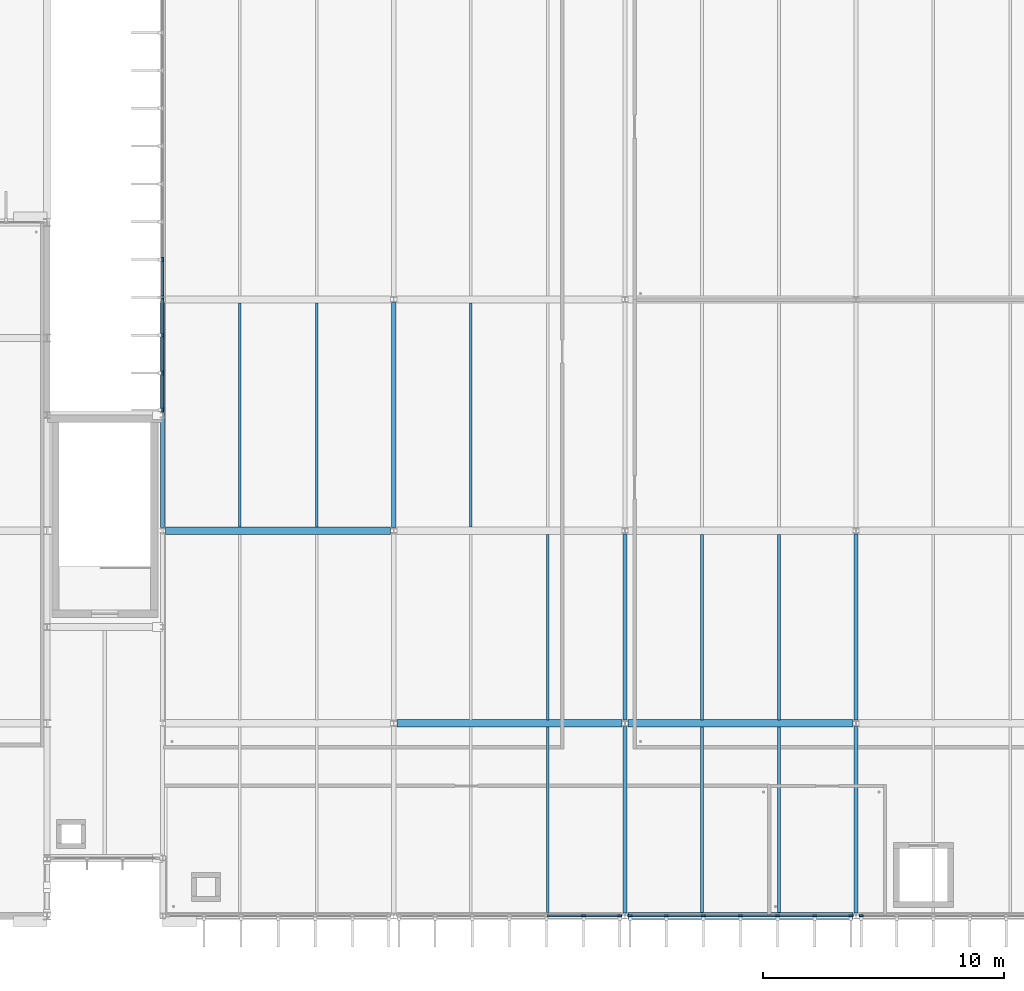
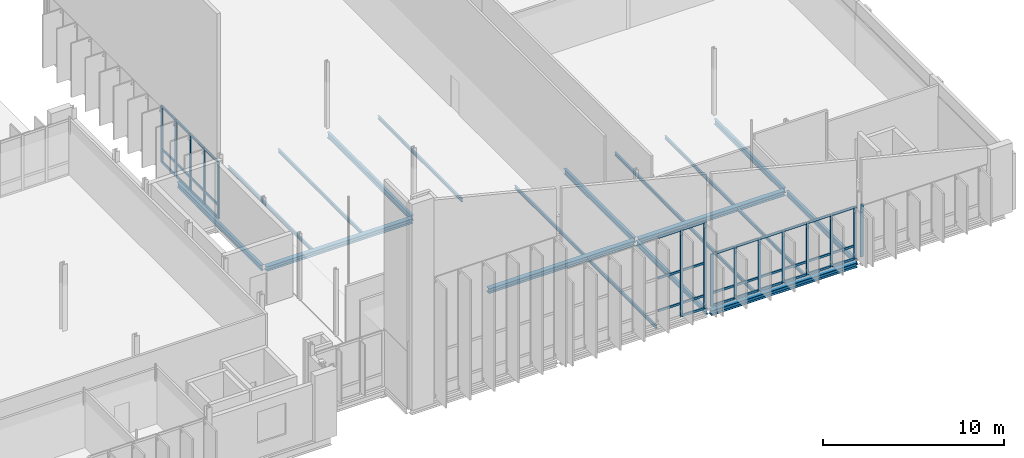
# One storey, part 44 of 110: 52 members, 19 beams, 4 elements without a shape of their own.
"""IFC4 building model written with IfcOpenShell, lengths in metres."""

from ifc_helpers import new_model, si_unit, direction, frame, origin, origin_2d, place, context, subcontext, project, spatial, rectangle, i_section, extrude, material, material_profile, profile_set, type_object, element, aggregate, save


model = new_model("IFC4")

# Units and contexts
model_context = context("Model", 3, precision=1e-05, world=origin(), true_north=direction((0.0, 1.0)))
body_context = subcontext(model_context, "Body", "Model", "MODEL_VIEW")
ifc_project = project(units=[si_unit("LENGTHUNIT", "METRE"), si_unit("AREAUNIT", "SQUARE_METRE"), si_unit("VOLUMEUNIT", "CUBIC_METRE"), si_unit("PLANEANGLEUNIT", "RADIAN"), si_unit("MASSUNIT", "GRAM", prefix="KILO")], contexts=[model_context])

# Site, building, storey
site_placement = place(None, origin())
site = spatial("IfcSite", under=ifc_project, at=site_placement, CompositionType="ELEMENT")
building_placement = place(site_placement, origin())
building = spatial("IfcBuilding", under=site, at=building_placement, Name="Dunescarp Central Library", CompositionType="ELEMENT")
storey_placement = place(building_placement, frame((0.0, 0.0, 9.60009765625)))
storey = spatial("IfcBuildingStorey", under=building, at=storey_placement, Name="L02", CompositionType="ELEMENT", Elevation=9.60009765625)

# Curtain wall, members
ifc_material_1 = material(Name="Marine-grade anodised aluminium 6063-T6", Category="aluminium")
curtain_wall_type = type_object("IfcCurtainWallType", Name="ARC-CW-STICK", PredefinedType="NOTDEFINED", material=ifc_material_1)
curtain_wall_1_placement = place(storey_placement, origin())
curtain_wall_1 = element("IfcCurtainWall", 1, at=curtain_wall_1_placement, inside=storey, type_object=curtain_wall_type, Name="L02 curtain wall CW-V5-163", PredefinedType="NOTDEFINED")
ifc_material_profile_1 = material_profile(ifc_material_1, rectangle(XDim=0.080078125, YDim=0.179931640625, at=origin_2d()), Name="AL 80x180")
ifc_profile_set_1 = profile_set([ifc_material_profile_1], Name="Marine-grade anodised aluminium 6063-T6")
member_type_1 = type_object("IfcMemberType", Name="ARC-CWM-180", PredefinedType="MULLION", material=ifc_profile_set_1)
member_1_placement = place(storey_placement, frame((148.5849609375, 4.800048828125, 0.0), z_axis=(0.0, 0.0, 1.0), x_axis=(0.0, -1.0, 0.0)))
member_1 = element("IfcMember", 2, at=member_1_placement, type_object=member_type_1, Name="CW-V5-163 mullion 1", PredefinedType="MULLION", context=body_context, shape_type="SweptSolid", body=[
    extrude(rectangle(XDim=0.080078125, YDim=0.179931640625, at=origin_2d()), origin(), (0.0, 0.0, 1.0), 5.89990234375),
])
member_2_placement = place(storey_placement, frame((147.083251953125, 4.800048828125, 0.0), z_axis=(0.0, 0.0, 1.0), x_axis=(0.0, -1.0, 0.0)))
member_2 = element("IfcMember", 3, at=member_2_placement, type_object=member_type_1, Name="CW-V5-163 mullion 2", PredefinedType="MULLION", context=body_context, shape_type="SweptSolid", body=[
    extrude(rectangle(XDim=0.080078125, YDim=0.179931640625, at=origin_2d()), origin(), (0.0, 0.0, 1.0), 5.89990234375),
])

curtain_wall_2_placement = place(storey_placement, origin())
curtain_wall_2 = element("IfcCurtainWall", 4, at=curtain_wall_2_placement, inside=storey, type_object=curtain_wall_type, Name="L02 curtain wall CW-V5-164", PredefinedType="NOTDEFINED")
member_3_placement = place(storey_placement, frame((158.18505859375, 4.800048828125, 0.0), z_axis=(0.0, 0.0, 1.0), x_axis=(0.0, -1.0, 0.0)))
member_3 = element("IfcMember", 5, at=member_3_placement, type_object=member_type_1, Name="CW-V5-164 mullion 1", PredefinedType="MULLION", context=body_context, shape_type="SweptSolid", body=[
    extrude(rectangle(XDim=0.080078125, YDim=0.179931640625, at=origin_2d()), origin(), (0.0, 0.0, 1.0), 3.5498046875),
])
member_4_placement = place(storey_placement, frame((156.683349609375, 4.800048828125, 0.0), z_axis=(0.0, 0.0, 1.0), x_axis=(0.0, -1.0, 0.0)))
member_4 = element("IfcMember", 6, at=member_4_placement, type_object=member_type_1, Name="CW-V5-164 mullion 2", PredefinedType="MULLION", context=body_context, shape_type="SweptSolid", body=[
    extrude(rectangle(XDim=0.080078125, YDim=0.179931640625, at=origin_2d()), origin(), (0.0, 0.0, 1.0), 3.5498046875),
])
member_5_placement = place(storey_placement, frame((155.1416015625, 4.800048828125, 0.0), z_axis=(0.0, 0.0, 1.0), x_axis=(0.0, -1.0, 0.0)))
member_5 = element("IfcMember", 7, at=member_5_placement, type_object=member_type_1, Name="CW-V5-164 mullion 3", PredefinedType="MULLION", context=body_context, shape_type="SweptSolid", body=[
    extrude(rectangle(XDim=0.080078125, YDim=0.179931640625, at=origin_2d()), origin(), (0.0, 0.0, 1.0), 3.5498046875),
])
member_6_placement = place(storey_placement, frame((153.60009765625, 4.800048828125, 0.0), z_axis=(0.0, 0.0, 1.0), x_axis=(0.0, -1.0, 0.0)))
member_6 = element("IfcMember", 8, at=member_6_placement, type_object=member_type_1, Name="CW-V5-164 mullion 4", PredefinedType="MULLION", context=body_context, shape_type="SweptSolid", body=[
    extrude(rectangle(XDim=0.080078125, YDim=0.179931640625, at=origin_2d()), origin(), (0.0, 0.0, 1.0), 3.5498046875),
])
member_7_placement = place(storey_placement, frame((152.058349609375, 4.800048828125, 0.0), z_axis=(0.0, 0.0, 1.0), x_axis=(0.0, -1.0, 0.0)))
member_7 = element("IfcMember", 9, at=member_7_placement, type_object=member_type_1, Name="CW-V5-164 mullion 5", PredefinedType="MULLION", context=body_context, shape_type="SweptSolid", body=[
    extrude(rectangle(XDim=0.080078125, YDim=0.179931640625, at=origin_2d()), origin(), (0.0, 0.0, 1.0), 3.5498046875),
])
member_8_placement = place(storey_placement, frame((150.5166015625, 4.800048828125, 0.0), z_axis=(0.0, 0.0, 1.0), x_axis=(0.0, -1.0, 0.0)))
member_8 = element("IfcMember", 10, at=member_8_placement, type_object=member_type_1, Name="CW-V5-164 mullion 6", PredefinedType="MULLION", context=body_context, shape_type="SweptSolid", body=[
    extrude(rectangle(XDim=0.080078125, YDim=0.179931640625, at=origin_2d()), origin(), (0.0, 0.0, 1.0), 3.5498046875),
])
member_9_placement = place(storey_placement, frame((149.014892578125, 4.800048828125, 0.0), z_axis=(0.0, 0.0, 1.0), x_axis=(0.0, -1.0, 0.0)))
member_9 = element("IfcMember", 11, at=member_9_placement, type_object=member_type_1, Name="CW-V5-164 mullion 7", PredefinedType="MULLION", context=body_context, shape_type="SweptSolid", body=[
    extrude(rectangle(XDim=0.080078125, YDim=0.179931640625, at=origin_2d()), origin(), (0.0, 0.0, 1.0), 3.5498046875),
])

# Curtain wall, member
curtain_wall_3_placement = place(storey_placement, origin())
curtain_wall_3 = element("IfcCurtainWall", 12, at=curtain_wall_3_placement, inside=storey, type_object=curtain_wall_type, Name="L02 curtain wall CW-V5-165", PredefinedType="NOTDEFINED")
member_10_placement = place(storey_placement, frame((158.614990234375, 4.800048828125, 0.0), z_axis=(0.0, 0.0, 1.0), x_axis=(0.0, -1.0, 0.0)))
member_10 = element("IfcMember", 13, at=member_10_placement, type_object=member_type_1, Name="CW-V5-165 mullion 7", PredefinedType="MULLION", context=body_context, shape_type="SweptSolid", body=[
    extrude(rectangle(XDim=0.080078125, YDim=0.179931640625, at=origin_2d()), origin(), (0.0, 0.0, 1.0), 3.5498046875),
])
aggregate(curtain_wall_3, [member_10])

# Curtain wall, members
curtain_wall_4_placement = place(storey_placement, origin())
curtain_wall_4 = element("IfcCurtainWall", 14, at=curtain_wall_4_placement, inside=storey, type_object=curtain_wall_type, Name="L02 curtain wall CW-V5-169", PredefinedType="NOTDEFINED")
member_11_placement = place(storey_placement, frame((129.60009765625, 25.81494140625, 0.0), z_axis=(0.0, 0.0, 1.0), x_axis=(-1.0, 0.0, 0.0)))
member_11 = element("IfcMember", 15, at=member_11_placement, type_object=member_type_1, Name="CW-V5-169 mullion 1", PredefinedType="MULLION", context=body_context, shape_type="SweptSolid", body=[
    extrude(rectangle(XDim=0.080078125, YDim=0.179931640625, at=origin_2d()), origin(), (0.0, 0.0, 1.0), 3.844970703125),
])
member_12_placement = place(storey_placement, frame((129.60009765625, 27.345947265625, 0.0), z_axis=(0.0, 0.0, 1.0), x_axis=(-1.0, 0.0, 0.0)))
member_12 = element("IfcMember", 16, at=member_12_placement, type_object=member_type_1, Name="CW-V5-169 mullion 2", PredefinedType="MULLION", context=body_context, shape_type="SweptSolid", body=[
    extrude(rectangle(XDim=0.080078125, YDim=0.179931640625, at=origin_2d()), origin(), (0.0, 0.0, 1.0), 3.844970703125),
])
member_13_placement = place(storey_placement, frame((129.60009765625, 28.916748046875, 0.0), z_axis=(0.0, 0.0, 1.0), x_axis=(-1.0, 0.0, 0.0)))
member_13 = element("IfcMember", 17, at=member_13_placement, type_object=member_type_1, Name="CW-V5-169 mullion 3", PredefinedType="MULLION", context=body_context, shape_type="SweptSolid", body=[
    extrude(rectangle(XDim=0.080078125, YDim=0.179931640625, at=origin_2d()), origin(), (0.0, 0.0, 1.0), 3.844970703125),
])
member_14_placement = place(storey_placement, frame((129.60009765625, 30.487548828125, 0.0), z_axis=(0.0, 0.0, 1.0), x_axis=(-1.0, 0.0, 0.0)))
member_14 = element("IfcMember", 18, at=member_14_placement, type_object=member_type_1, Name="CW-V5-169 mullion 4", PredefinedType="MULLION", context=body_context, shape_type="SweptSolid", body=[
    extrude(rectangle(XDim=0.080078125, YDim=0.179931640625, at=origin_2d()), origin(), (0.0, 0.0, 1.0), 3.844970703125),
])
member_15_placement = place(storey_placement, frame((129.60009765625, 32.058349609375, 0.0), z_axis=(0.0, 0.0, 1.0), x_axis=(-1.0, 0.0, 0.0)))
member_15 = element("IfcMember", 19, at=member_15_placement, type_object=member_type_1, Name="CW-V5-169 mullion 5", PredefinedType="MULLION", context=body_context, shape_type="SweptSolid", body=[
    extrude(rectangle(XDim=0.080078125, YDim=0.179931640625, at=origin_2d()), origin(), (0.0, 0.0, 1.0), 3.844970703125),
])

# Member
ifc_material_profile_2 = material_profile(ifc_material_1, rectangle(XDim=0.080078125, YDim=0.14990234375, at=origin_2d()), Name="AL 80x150")
ifc_profile_set_2 = profile_set([ifc_material_profile_2], Name="Marine-grade anodised aluminium 6063-T6")
member_type_2 = type_object("IfcMemberType", Name="ARC-CWT-150", PredefinedType="USERDEFINED", material=ifc_profile_set_2)
member_16_placement = place(storey_placement, frame((148.544921875, 4.800048828125, 0.039794921875), z_axis=(-1.0, 0.0, 0.0), x_axis=(0.0, -1.0, 0.0)))
member_16 = element("IfcMember", 20, at=member_16_placement, type_object=member_type_2, Name="CW-V5-163 transom 1.1", ObjectType="TRANSOM", PredefinedType="USERDEFINED", context=body_context, shape_type="SweptSolid", body=[
    extrude(rectangle(XDim=0.080078125, YDim=0.14990234375, at=origin_2d()), origin(), (0.0, 0.0, 1.0), 1.421630859375),
])

member_17_placement = place(storey_placement, frame((148.544921875, 4.800048828125, 0.89990234375), z_axis=(-1.0, 0.0, 0.0), x_axis=(0.0, -1.0, 0.0)))
member_17 = element("IfcMember", 21, at=member_17_placement, type_object=member_type_2, Name="CW-V5-163 transom 1.2", ObjectType="TRANSOM", PredefinedType="USERDEFINED", context=body_context, shape_type="SweptSolid", body=[
    extrude(rectangle(XDim=0.080078125, YDim=0.14990234375, at=origin_2d()), origin(), (0.0, 0.0, 1.0), 1.421630859375),
])

member_18_placement = place(storey_placement, frame((148.544921875, 4.800048828125, 3.099853515625), z_axis=(-1.0, 0.0, 0.0), x_axis=(0.0, -1.0, 0.0)))
member_18 = element("IfcMember", 22, at=member_18_placement, type_object=member_type_2, Name="CW-V5-163 transom 1.3", ObjectType="TRANSOM", PredefinedType="USERDEFINED", context=body_context, shape_type="SweptSolid", body=[
    extrude(rectangle(XDim=0.080078125, YDim=0.14990234375, at=origin_2d()), origin(), (0.0, 0.0, 1.0), 1.421630859375),
])

member_19_placement = place(storey_placement, frame((148.544921875, 4.800048828125, 5.85986328125), z_axis=(-1.0, 0.0, 0.0), x_axis=(0.0, -1.0, 0.0)))
member_19 = element("IfcMember", 23, at=member_19_placement, type_object=member_type_2, Name="CW-V5-163 transom 1.4", ObjectType="TRANSOM", PredefinedType="USERDEFINED", context=body_context, shape_type="SweptSolid", body=[
    extrude(rectangle(XDim=0.080078125, YDim=0.14990234375, at=origin_2d()), origin(), (0.0, 0.0, 1.0), 1.421630859375),
])

member_20_placement = place(storey_placement, frame((147.043212890625, 4.800048828125, 0.89990234375), z_axis=(-1.0, 0.0, 0.0), x_axis=(0.0, -1.0, 0.0)))
member_20 = element("IfcMember", 24, at=member_20_placement, type_object=member_type_2, Name="CW-V5-163 transom 2.2", ObjectType="TRANSOM", PredefinedType="USERDEFINED", context=body_context, shape_type="SweptSolid", body=[
    extrude(rectangle(XDim=0.080078125, YDim=0.14990234375, at=origin_2d()), origin(), (0.0, 0.0, 1.0), 1.46142578125),
])

member_21_placement = place(storey_placement, frame((147.043212890625, 4.800048828125, 3.099853515625), z_axis=(-1.0, 0.0, 0.0), x_axis=(0.0, -1.0, 0.0)))
member_21 = element("IfcMember", 25, at=member_21_placement, type_object=member_type_2, Name="CW-V5-163 transom 2.3", ObjectType="TRANSOM", PredefinedType="USERDEFINED", context=body_context, shape_type="SweptSolid", body=[
    extrude(rectangle(XDim=0.080078125, YDim=0.14990234375, at=origin_2d()), origin(), (0.0, 0.0, 1.0), 1.46142578125),
])

member_22_placement = place(storey_placement, frame((147.043212890625, 4.800048828125, 5.85986328125), z_axis=(-1.0, 0.0, 0.0), x_axis=(0.0, -1.0, 0.0)))
member_22 = element("IfcMember", 26, at=member_22_placement, type_object=member_type_2, Name="CW-V5-163 transom 2.4", ObjectType="TRANSOM", PredefinedType="USERDEFINED", context=body_context, shape_type="SweptSolid", body=[
    extrude(rectangle(XDim=0.080078125, YDim=0.14990234375, at=origin_2d()), origin(), (0.0, 0.0, 1.0), 1.46142578125),
])

aggregate(curtain_wall_1, [member_1, member_2, member_16, member_17, member_18, member_19, member_20, member_21, member_22])

member_23_placement = place(storey_placement, frame((158.14501953125, 4.800048828125, 0.039794921875), z_axis=(-1.0, 0.0, 0.0), x_axis=(0.0, -1.0, 0.0)))
member_23 = element("IfcMember", 27, at=member_23_placement, type_object=member_type_2, Name="CW-V5-164 transom 1.1", ObjectType="TRANSOM", PredefinedType="USERDEFINED", context=body_context, shape_type="SweptSolid", body=[
    extrude(rectangle(XDim=0.080078125, YDim=0.14990234375, at=origin_2d()), origin(), (0.0, 0.0, 1.0), 1.421630859375),
])

member_24_placement = place(storey_placement, frame((158.14501953125, 4.800048828125, 0.89990234375), z_axis=(-1.0, 0.0, 0.0), x_axis=(0.0, -1.0, 0.0)))
member_24 = element("IfcMember", 28, at=member_24_placement, type_object=member_type_2, Name="CW-V5-164 transom 1.2", ObjectType="TRANSOM", PredefinedType="USERDEFINED", context=body_context, shape_type="SweptSolid", body=[
    extrude(rectangle(XDim=0.080078125, YDim=0.14990234375, at=origin_2d()), origin(), (0.0, 0.0, 1.0), 1.421630859375),
])

member_25_placement = place(storey_placement, frame((158.14501953125, 4.800048828125, 3.510009765625), z_axis=(-1.0, 0.0, 0.0), x_axis=(0.0, -1.0, 0.0)))
member_25 = element("IfcMember", 29, at=member_25_placement, type_object=member_type_2, Name="CW-V5-164 transom 1.3", ObjectType="TRANSOM", PredefinedType="USERDEFINED", context=body_context, shape_type="SweptSolid", body=[
    extrude(rectangle(XDim=0.080078125, YDim=0.14990234375, at=origin_2d()), origin(), (0.0, 0.0, 1.0), 1.421630859375),
])

member_26_placement = place(storey_placement, frame((156.643310546875, 4.800048828125, 0.039794921875), z_axis=(-1.0, 0.0, 0.0), x_axis=(0.0, -1.0, 0.0)))
member_26 = element("IfcMember", 30, at=member_26_placement, type_object=member_type_2, Name="CW-V5-164 transom 2.1", ObjectType="TRANSOM", PredefinedType="USERDEFINED", context=body_context, shape_type="SweptSolid", body=[
    extrude(rectangle(XDim=0.080078125, YDim=0.14990234375, at=origin_2d()), origin(), (0.0, 0.0, 1.0), 1.461669921875),
])

member_27_placement = place(storey_placement, frame((156.643310546875, 4.800048828125, 0.89990234375), z_axis=(-1.0, 0.0, 0.0), x_axis=(0.0, -1.0, 0.0)))
member_27 = element("IfcMember", 31, at=member_27_placement, type_object=member_type_2, Name="CW-V5-164 transom 2.2", ObjectType="TRANSOM", PredefinedType="USERDEFINED", context=body_context, shape_type="SweptSolid", body=[
    extrude(rectangle(XDim=0.080078125, YDim=0.14990234375, at=origin_2d()), origin(), (0.0, 0.0, 1.0), 1.461669921875),
])

member_28_placement = place(storey_placement, frame((156.643310546875, 4.800048828125, 3.510009765625), z_axis=(-1.0, 0.0, 0.0), x_axis=(0.0, -1.0, 0.0)))
member_28 = element("IfcMember", 32, at=member_28_placement, type_object=member_type_2, Name="CW-V5-164 transom 2.3", ObjectType="TRANSOM", PredefinedType="USERDEFINED", context=body_context, shape_type="SweptSolid", body=[
    extrude(rectangle(XDim=0.080078125, YDim=0.14990234375, at=origin_2d()), origin(), (0.0, 0.0, 1.0), 1.461669921875),
])

member_29_placement = place(storey_placement, frame((155.1015625, 4.800048828125, 0.039794921875), z_axis=(-1.0, 0.0, 0.0), x_axis=(0.0, -1.0, 0.0)))
member_29 = element("IfcMember", 33, at=member_29_placement, type_object=member_type_2, Name="CW-V5-164 transom 3.1", ObjectType="TRANSOM", PredefinedType="USERDEFINED", context=body_context, shape_type="SweptSolid", body=[
    extrude(rectangle(XDim=0.080078125, YDim=0.14990234375, at=origin_2d()), origin(), (0.0, 0.0, 1.0), 1.461669921875),
])

member_30_placement = place(storey_placement, frame((155.1015625, 4.800048828125, 0.89990234375), z_axis=(-1.0, 0.0, 0.0), x_axis=(0.0, -1.0, 0.0)))
member_30 = element("IfcMember", 34, at=member_30_placement, type_object=member_type_2, Name="CW-V5-164 transom 3.2", ObjectType="TRANSOM", PredefinedType="USERDEFINED", context=body_context, shape_type="SweptSolid", body=[
    extrude(rectangle(XDim=0.080078125, YDim=0.14990234375, at=origin_2d()), origin(), (0.0, 0.0, 1.0), 1.461669921875),
])

member_31_placement = place(storey_placement, frame((155.1015625, 4.800048828125, 3.510009765625), z_axis=(-1.0, 0.0, 0.0), x_axis=(0.0, -1.0, 0.0)))
member_31 = element("IfcMember", 35, at=member_31_placement, type_object=member_type_2, Name="CW-V5-164 transom 3.3", ObjectType="TRANSOM", PredefinedType="USERDEFINED", context=body_context, shape_type="SweptSolid", body=[
    extrude(rectangle(XDim=0.080078125, YDim=0.14990234375, at=origin_2d()), origin(), (0.0, 0.0, 1.0), 1.461669921875),
])

member_32_placement = place(storey_placement, frame((153.56005859375, 4.800048828125, 0.039794921875), z_axis=(-1.0, 0.0, 0.0), x_axis=(0.0, -1.0, 0.0)))
member_32 = element("IfcMember", 36, at=member_32_placement, type_object=member_type_2, Name="CW-V5-164 transom 4.1", ObjectType="TRANSOM", PredefinedType="USERDEFINED", context=body_context, shape_type="SweptSolid", body=[
    extrude(rectangle(XDim=0.080078125, YDim=0.14990234375, at=origin_2d()), origin(), (0.0, 0.0, 1.0), 1.461669921875),
])

member_33_placement = place(storey_placement, frame((153.56005859375, 4.800048828125, 0.89990234375), z_axis=(-1.0, 0.0, 0.0), x_axis=(0.0, -1.0, 0.0)))
member_33 = element("IfcMember", 37, at=member_33_placement, type_object=member_type_2, Name="CW-V5-164 transom 4.2", ObjectType="TRANSOM", PredefinedType="USERDEFINED", context=body_context, shape_type="SweptSolid", body=[
    extrude(rectangle(XDim=0.080078125, YDim=0.14990234375, at=origin_2d()), origin(), (0.0, 0.0, 1.0), 1.461669921875),
])

member_34_placement = place(storey_placement, frame((153.56005859375, 4.800048828125, 3.510009765625), z_axis=(-1.0, 0.0, 0.0), x_axis=(0.0, -1.0, 0.0)))
member_34 = element("IfcMember", 38, at=member_34_placement, type_object=member_type_2, Name="CW-V5-164 transom 4.3", ObjectType="TRANSOM", PredefinedType="USERDEFINED", context=body_context, shape_type="SweptSolid", body=[
    extrude(rectangle(XDim=0.080078125, YDim=0.14990234375, at=origin_2d()), origin(), (0.0, 0.0, 1.0), 1.461669921875),
])

member_35_placement = place(storey_placement, frame((152.018310546875, 4.800048828125, 0.039794921875), z_axis=(-1.0, 0.0, 0.0), x_axis=(0.0, -1.0, 0.0)))
member_35 = element("IfcMember", 39, at=member_35_placement, type_object=member_type_2, Name="CW-V5-164 transom 5.1", ObjectType="TRANSOM", PredefinedType="USERDEFINED", context=body_context, shape_type="SweptSolid", body=[
    extrude(rectangle(XDim=0.080078125, YDim=0.14990234375, at=origin_2d()), origin(), (0.0, 0.0, 1.0), 1.461669921875),
])

member_36_placement = place(storey_placement, frame((152.018310546875, 4.800048828125, 0.89990234375), z_axis=(-1.0, 0.0, 0.0), x_axis=(0.0, -1.0, 0.0)))
member_36 = element("IfcMember", 40, at=member_36_placement, type_object=member_type_2, Name="CW-V5-164 transom 5.2", ObjectType="TRANSOM", PredefinedType="USERDEFINED", context=body_context, shape_type="SweptSolid", body=[
    extrude(rectangle(XDim=0.080078125, YDim=0.14990234375, at=origin_2d()), origin(), (0.0, 0.0, 1.0), 1.461669921875),
])

member_37_placement = place(storey_placement, frame((152.018310546875, 4.800048828125, 3.510009765625), z_axis=(-1.0, 0.0, 0.0), x_axis=(0.0, -1.0, 0.0)))
member_37 = element("IfcMember", 41, at=member_37_placement, type_object=member_type_2, Name="CW-V5-164 transom 5.3", ObjectType="TRANSOM", PredefinedType="USERDEFINED", context=body_context, shape_type="SweptSolid", body=[
    extrude(rectangle(XDim=0.080078125, YDim=0.14990234375, at=origin_2d()), origin(), (0.0, 0.0, 1.0), 1.461669921875),
])

member_38_placement = place(storey_placement, frame((150.4765625, 4.800048828125, 0.039794921875), z_axis=(-1.0, 0.0, 0.0), x_axis=(0.0, -1.0, 0.0)))
member_38 = element("IfcMember", 42, at=member_38_placement, type_object=member_type_2, Name="CW-V5-164 transom 6.1", ObjectType="TRANSOM", PredefinedType="USERDEFINED", context=body_context, shape_type="SweptSolid", body=[
    extrude(rectangle(XDim=0.080078125, YDim=0.14990234375, at=origin_2d()), origin(), (0.0, 0.0, 1.0), 1.421630859375),
])

member_39_placement = place(storey_placement, frame((150.4765625, 4.800048828125, 0.89990234375), z_axis=(-1.0, 0.0, 0.0), x_axis=(0.0, -1.0, 0.0)))
member_39 = element("IfcMember", 43, at=member_39_placement, type_object=member_type_2, Name="CW-V5-164 transom 6.2", ObjectType="TRANSOM", PredefinedType="USERDEFINED", context=body_context, shape_type="SweptSolid", body=[
    extrude(rectangle(XDim=0.080078125, YDim=0.14990234375, at=origin_2d()), origin(), (0.0, 0.0, 1.0), 1.421630859375),
])

member_40_placement = place(storey_placement, frame((150.4765625, 4.800048828125, 3.510009765625), z_axis=(-1.0, 0.0, 0.0), x_axis=(0.0, -1.0, 0.0)))
member_40 = element("IfcMember", 44, at=member_40_placement, type_object=member_type_2, Name="CW-V5-164 transom 6.3", ObjectType="TRANSOM", PredefinedType="USERDEFINED", context=body_context, shape_type="SweptSolid", body=[
    extrude(rectangle(XDim=0.080078125, YDim=0.14990234375, at=origin_2d()), origin(), (0.0, 0.0, 1.0), 1.421630859375),
])

aggregate(curtain_wall_2, [member_3, member_4, member_5, member_6, member_7, member_8, member_9, member_23, member_24, member_25, member_26, member_27, member_28, member_29, member_30, member_31, member_32, member_33, member_34, member_35, member_36, member_37, member_38, member_39, member_40])

member_41_placement = place(storey_placement, frame((129.60009765625, 25.85498046875, 0.039794921875), z_axis=(0.0, 1.0, 0.0), x_axis=(-1.0, 0.0, 0.0)))
member_41 = element("IfcMember", 45, at=member_41_placement, type_object=member_type_2, Name="CW-V5-169 transom 1.1", ObjectType="TRANSOM", PredefinedType="USERDEFINED", context=body_context, shape_type="SweptSolid", body=[
    extrude(rectangle(XDim=0.080078125, YDim=0.14990234375, at=origin_2d()), origin(), (0.0, 0.0, 1.0), 1.450927734375),
])

member_42_placement = place(storey_placement, frame((129.60009765625, 25.85498046875, 0.89990234375), z_axis=(0.0, 1.0, 0.0), x_axis=(-1.0, 0.0, 0.0)))
member_42 = element("IfcMember", 46, at=member_42_placement, type_object=member_type_2, Name="CW-V5-169 transom 1.2", ObjectType="TRANSOM", PredefinedType="USERDEFINED", context=body_context, shape_type="SweptSolid", body=[
    extrude(rectangle(XDim=0.080078125, YDim=0.14990234375, at=origin_2d()), origin(), (0.0, 0.0, 1.0), 1.450927734375),
])

member_43_placement = place(storey_placement, frame((129.60009765625, 25.85498046875, 3.804931640625), z_axis=(0.0, 1.0, 0.0), x_axis=(-1.0, 0.0, 0.0)))
member_43 = element("IfcMember", 47, at=member_43_placement, type_object=member_type_2, Name="CW-V5-169 transom 1.3", ObjectType="TRANSOM", PredefinedType="USERDEFINED", context=body_context, shape_type="SweptSolid", body=[
    extrude(rectangle(XDim=0.080078125, YDim=0.14990234375, at=origin_2d()), origin(), (0.0, 0.0, 1.0), 1.450927734375),
])

member_44_placement = place(storey_placement, frame((129.60009765625, 27.3857421875, 0.039794921875), z_axis=(0.0, 1.0, 0.0), x_axis=(-1.0, 0.0, 0.0)))
member_44 = element("IfcMember", 48, at=member_44_placement, type_object=member_type_2, Name="CW-V5-169 transom 2.1", ObjectType="TRANSOM", PredefinedType="USERDEFINED", context=body_context, shape_type="SweptSolid", body=[
    extrude(rectangle(XDim=0.080078125, YDim=0.14990234375, at=origin_2d()), origin(), (0.0, 0.0, 1.0), 1.490966796875),
])

member_45_placement = place(storey_placement, frame((129.60009765625, 27.3857421875, 0.89990234375), z_axis=(0.0, 1.0, 0.0), x_axis=(-1.0, 0.0, 0.0)))
member_45 = element("IfcMember", 49, at=member_45_placement, type_object=member_type_2, Name="CW-V5-169 transom 2.2", ObjectType="TRANSOM", PredefinedType="USERDEFINED", context=body_context, shape_type="SweptSolid", body=[
    extrude(rectangle(XDim=0.080078125, YDim=0.14990234375, at=origin_2d()), origin(), (0.0, 0.0, 1.0), 1.490966796875),
])

member_46_placement = place(storey_placement, frame((129.60009765625, 27.3857421875, 3.804931640625), z_axis=(0.0, 1.0, 0.0), x_axis=(-1.0, 0.0, 0.0)))
member_46 = element("IfcMember", 50, at=member_46_placement, type_object=member_type_2, Name="CW-V5-169 transom 2.3", ObjectType="TRANSOM", PredefinedType="USERDEFINED", context=body_context, shape_type="SweptSolid", body=[
    extrude(rectangle(XDim=0.080078125, YDim=0.14990234375, at=origin_2d()), origin(), (0.0, 0.0, 1.0), 1.490966796875),
])

member_47_placement = place(storey_placement, frame((129.60009765625, 28.956787109375, 0.039794921875), z_axis=(0.0, 1.0, 0.0), x_axis=(-1.0, 0.0, 0.0)))
member_47 = element("IfcMember", 51, at=member_47_placement, type_object=member_type_2, Name="CW-V5-169 transom 3.1", ObjectType="TRANSOM", PredefinedType="USERDEFINED", context=body_context, shape_type="SweptSolid", body=[
    extrude(rectangle(XDim=0.080078125, YDim=0.14990234375, at=origin_2d()), origin(), (0.0, 0.0, 1.0), 1.49072265625),
])

member_48_placement = place(storey_placement, frame((129.60009765625, 28.956787109375, 0.89990234375), z_axis=(0.0, 1.0, 0.0), x_axis=(-1.0, 0.0, 0.0)))
member_48 = element("IfcMember", 52, at=member_48_placement, type_object=member_type_2, Name="CW-V5-169 transom 3.2", ObjectType="TRANSOM", PredefinedType="USERDEFINED", context=body_context, shape_type="SweptSolid", body=[
    extrude(rectangle(XDim=0.080078125, YDim=0.14990234375, at=origin_2d()), origin(), (0.0, 0.0, 1.0), 1.49072265625),
])

member_49_placement = place(storey_placement, frame((129.60009765625, 28.956787109375, 3.804931640625), z_axis=(0.0, 1.0, 0.0), x_axis=(-1.0, 0.0, 0.0)))
member_49 = element("IfcMember", 53, at=member_49_placement, type_object=member_type_2, Name="CW-V5-169 transom 3.3", ObjectType="TRANSOM", PredefinedType="USERDEFINED", context=body_context, shape_type="SweptSolid", body=[
    extrude(rectangle(XDim=0.080078125, YDim=0.14990234375, at=origin_2d()), origin(), (0.0, 0.0, 1.0), 1.49072265625),
])

member_50_placement = place(storey_placement, frame((129.60009765625, 30.527587890625, 0.039794921875), z_axis=(0.0, 1.0, 0.0), x_axis=(-1.0, 0.0, 0.0)))
member_50 = element("IfcMember", 54, at=member_50_placement, type_object=member_type_2, Name="CW-V5-169 transom 4.1", ObjectType="TRANSOM", PredefinedType="USERDEFINED", context=body_context, shape_type="SweptSolid", body=[
    extrude(rectangle(XDim=0.080078125, YDim=0.14990234375, at=origin_2d()), origin(), (0.0, 0.0, 1.0), 1.49072265625),
])

member_51_placement = place(storey_placement, frame((129.60009765625, 30.527587890625, 0.89990234375), z_axis=(0.0, 1.0, 0.0), x_axis=(-1.0, 0.0, 0.0)))
member_51 = element("IfcMember", 55, at=member_51_placement, type_object=member_type_2, Name="CW-V5-169 transom 4.2", ObjectType="TRANSOM", PredefinedType="USERDEFINED", context=body_context, shape_type="SweptSolid", body=[
    extrude(rectangle(XDim=0.080078125, YDim=0.14990234375, at=origin_2d()), origin(), (0.0, 0.0, 1.0), 1.49072265625),
])

member_52_placement = place(storey_placement, frame((129.60009765625, 30.527587890625, 3.804931640625), z_axis=(0.0, 1.0, 0.0), x_axis=(-1.0, 0.0, 0.0)))
member_52 = element("IfcMember", 56, at=member_52_placement, type_object=member_type_2, Name="CW-V5-169 transom 4.3", ObjectType="TRANSOM", PredefinedType="USERDEFINED", context=body_context, shape_type="SweptSolid", body=[
    extrude(rectangle(XDim=0.080078125, YDim=0.14990234375, at=origin_2d()), origin(), (0.0, 0.0, 1.0), 1.49072265625),
])

aggregate(curtain_wall_4, [member_11, member_12, member_13, member_14, member_15, member_41, member_42, member_43, member_44, member_45, member_46, member_47, member_48, member_49, member_50, member_51, member_52])

# Beams
ifc_material_2 = material(Name="Steel S355JR", Category="steel")
ifc_material_profile_3 = material_profile(ifc_material_2, i_section(OverallWidth=0.300048828125, OverallDepth=0.320068359375, WebThickness=0.011474609375, FlangeThickness=0.0205078125, at=origin_2d()), Name="HEB 320")
ifc_profile_set_3 = profile_set([ifc_material_profile_3], Name="Steel S355JR")
beam_type_1 = type_object("IfcBeamType", Name="STR-BM-HEB320", PredefinedType="BEAM", material=ifc_profile_set_3)
beam_1_placement = place(storey_placement, frame((129.72607421875, 20.800048828125, -0.3701171875), z_axis=(1.0, 0.0, 0.0), x_axis=(0.0, 1.0, 0.0)))
element("IfcBeam", 57, at=beam_1_placement, inside=storey, type_object=beam_type_1, Name="L02 girder BM-L02-1149", PredefinedType="BEAM", context=body_context, shape_type="SweptSolid", body=[
    extrude(i_section(OverallWidth=0.300048828125, OverallDepth=0.320068359375, WebThickness=0.011474609375, FlangeThickness=0.0205078125, at=origin_2d()), origin(), (0.0, 0.0, 1.0), 9.347900390625),
])
beam_2_placement = place(storey_placement, frame((139.325927734375, 12.800048828125, -0.3701171875), z_axis=(1.0, 0.0, 0.0), x_axis=(0.0, 1.0, 0.0)))
element("IfcBeam", 58, at=beam_2_placement, inside=storey, type_object=beam_type_1, Name="L02 girder BM-L02-1165", PredefinedType="BEAM", context=body_context, shape_type="SweptSolid", body=[
    extrude(i_section(OverallWidth=0.300048828125, OverallDepth=0.320068359375, WebThickness=0.011474609375, FlangeThickness=0.0205078125, at=origin_2d()), origin(), (0.0, 0.0, 1.0), 9.34814453125),
])
for number, where, z_axis, x_axis, name in (
    (59, (148.926025390625, 4.800048828125, -0.3701171875), (1.0, 0.0, 0.0), (0.0, 1.0, 0.0), "L02 girder BM-L02-1181"),
    (60, (148.926025390625, 12.800048828125, -0.3701171875), (1.0, 0.0, 0.0), (0.0, 1.0, 0.0), "L02 girder BM-L02-1182"),
):
    element("IfcBeam", number, at=place(storey_placement, frame(where, z_axis=z_axis, x_axis=x_axis)), inside=storey, type_object=beam_type_1, Name=name, PredefinedType="BEAM", context=body_context, shape_type="SweptSolid", body=[
        extrude(i_section(OverallWidth=0.300048828125, OverallDepth=0.320068359375, WebThickness=0.011474609375, FlangeThickness=0.0205078125, at=origin_2d()), origin(), (0.0, 0.0, 1.0), 9.347900390625),
    ])
ifc_material_profile_4 = material_profile(ifc_material_2, i_section(OverallWidth=0.17138671875, OverallDepth=0.35498046875, WebThickness=0.00732421875, FlangeThickness=0.011474609375, at=origin_2d()), Name="UB 356x171x51")
ifc_profile_set_4 = profile_set([ifc_material_profile_4], Name="Steel S355JR")
beam_type_2 = type_object("IfcBeamType", Name="STR-BM-UB356X51", PredefinedType="BEAM", material=ifc_profile_set_4)
for number, where, z_axis, x_axis, name in (
    (61, (129.60009765625, 20.929931640625, -0.38720703125), (0.0, 1.0, 0.0), (-1.0, 0.0, 0.0), "L02 girder BM-L02-1155"),
    (62, (139.199951171875, 20.929931640625, -0.38720703125), (0.0, 1.0, 0.0), (-1.0, 0.0, 0.0), "L02 girder BM-L02-1156"),
):
    element("IfcBeam", number, at=place(storey_placement, frame(where, z_axis=z_axis, x_axis=x_axis)), inside=storey, type_object=beam_type_2, Name=name, PredefinedType="BEAM", context=body_context, shape_type="SweptSolid", body=[
        extrude(i_section(OverallWidth=0.17138671875, OverallDepth=0.35498046875, WebThickness=0.00732421875, FlangeThickness=0.011474609375, at=origin_2d()), origin(), (0.0, 0.0, 1.0), 9.340087890625),
    ])
for number, where, z_axis, x_axis, name in (
    (63, (148.800048828125, 4.929931640625, -0.38720703125), (0.0, 1.0, 0.0), (-1.0, 0.0, 0.0), "L02 girder BM-L02-1166"),
    (64, (148.800048828125, 12.929931640625, -0.38720703125), (0.0, 1.0, 0.0), (-1.0, 0.0, 0.0), "L02 girder BM-L02-1170"),
    (65, (158.39990234375, 4.929931640625, -0.38720703125), (0.0, 1.0, 0.0), (-1.0, 0.0, 0.0), "L02 girder BM-L02-1183"),
    (66, (158.39990234375, 12.929931640625, -0.38720703125), (0.0, 1.0, 0.0), (-1.0, 0.0, 0.0), "L02 girder BM-L02-1187"),
):
    element("IfcBeam", number, at=place(storey_placement, frame(where, z_axis=z_axis, x_axis=x_axis)), inside=storey, type_object=beam_type_2, Name=name, PredefinedType="BEAM", context=body_context, shape_type="SweptSolid", body=[
        extrude(i_section(OverallWidth=0.17138671875, OverallDepth=0.35498046875, WebThickness=0.00732421875, FlangeThickness=0.011474609375, at=origin_2d()), origin(), (0.0, 0.0, 1.0), 7.739990234375),
    ])
ifc_material_profile_5 = material_profile(ifc_material_2, i_section(OverallWidth=0.110107421875, OverallDepth=0.219970703125, WebThickness=0.005859375, FlangeThickness=0.00927734375, at=origin_2d()), Name="IPE 220")
ifc_profile_set_5 = profile_set([ifc_material_profile_5], Name="Steel S355JR")
beam_type_3 = type_object("IfcBeamType", Name="STR-JS-IPE220", PredefinedType="JOIST", material=ifc_profile_set_5)
for number, where, z_axis, x_axis, name in (
    (67, (132.800048828125, 20.947998046875, -0.320068359375), (0.0, 1.0, 0.0), (-1.0, 0.0, 0.0), "L02 joist JS-L02-1157"),
    (68, (136.0, 20.947998046875, -0.320068359375), (0.0, 1.0, 0.0), (-1.0, 0.0, 0.0), "L02 joist JS-L02-1158"),
):
    element("IfcBeam", number, at=place(storey_placement, frame(where, z_axis=z_axis, x_axis=x_axis)), inside=storey, type_object=beam_type_3, Name=name, PredefinedType="JOIST", context=body_context, shape_type="SweptSolid", body=[
        extrude(i_section(OverallWidth=0.110107421875, OverallDepth=0.219970703125, WebThickness=0.005859375, FlangeThickness=0.00927734375, at=origin_2d()), origin(), (0.0, 0.0, 1.0), 9.303955078125),
    ])
for number, where, z_axis, x_axis, name in (
    (69, (145.60009765625, 4.947998046875, -0.320068359375), (0.0, 1.0, 0.0), (-1.0, 0.0, 0.0), "L02 joist JS-L02-1168"),
    (70, (145.60009765625, 12.947998046875, -0.320068359375), (0.0, 1.0, 0.0), (-1.0, 0.0, 0.0), "L02 joist JS-L02-1172"),
):
    element("IfcBeam", number, at=place(storey_placement, frame(where, z_axis=z_axis, x_axis=x_axis)), inside=storey, type_object=beam_type_3, Name=name, PredefinedType="JOIST", context=body_context, shape_type="SweptSolid", body=[
        extrude(i_section(OverallWidth=0.110107421875, OverallDepth=0.219970703125, WebThickness=0.005859375, FlangeThickness=0.00927734375, at=origin_2d()), origin(), (0.0, 0.0, 1.0), 7.7041015625),
    ])
beam_3_placement = place(storey_placement, frame((142.39990234375, 20.947998046875, -0.320068359375), z_axis=(0.0, 1.0, 0.0), x_axis=(-1.0, 0.0, 0.0)))
element("IfcBeam", 71, at=beam_3_placement, inside=storey, type_object=beam_type_3, Name="L02 joist JS-L02-1175", PredefinedType="JOIST", context=body_context, shape_type="SweptSolid", body=[
    extrude(i_section(OverallWidth=0.110107421875, OverallDepth=0.219970703125, WebThickness=0.005859375, FlangeThickness=0.00927734375, at=origin_2d()), origin(), (0.0, 0.0, 1.0), 9.303955078125),
])
for number, where, z_axis, x_axis, name in (
    (72, (152.0, 4.947998046875, -0.320068359375), (0.0, 1.0, 0.0), (-1.0, 0.0, 0.0), "L02 joist JS-L02-1184"),
    (73, (155.199951171875, 4.947998046875, -0.320068359375), (0.0, 1.0, 0.0), (-1.0, 0.0, 0.0), "L02 joist JS-L02-1185"),
    (74, (152.0, 12.947998046875, -0.320068359375), (0.0, 1.0, 0.0), (-1.0, 0.0, 0.0), "L02 joist JS-L02-1188"),
    (75, (155.199951171875, 12.947998046875, -0.320068359375), (0.0, 1.0, 0.0), (-1.0, 0.0, 0.0), "L02 joist JS-L02-1189"),
):
    element("IfcBeam", number, at=place(storey_placement, frame(where, z_axis=z_axis, x_axis=x_axis)), inside=storey, type_object=beam_type_3, Name=name, PredefinedType="JOIST", context=body_context, shape_type="SweptSolid", body=[
        extrude(i_section(OverallWidth=0.110107421875, OverallDepth=0.219970703125, WebThickness=0.005859375, FlangeThickness=0.00927734375, at=origin_2d()), origin(), (0.0, 0.0, 1.0), 7.7041015625),
    ])

save(model, "model.ifc")
